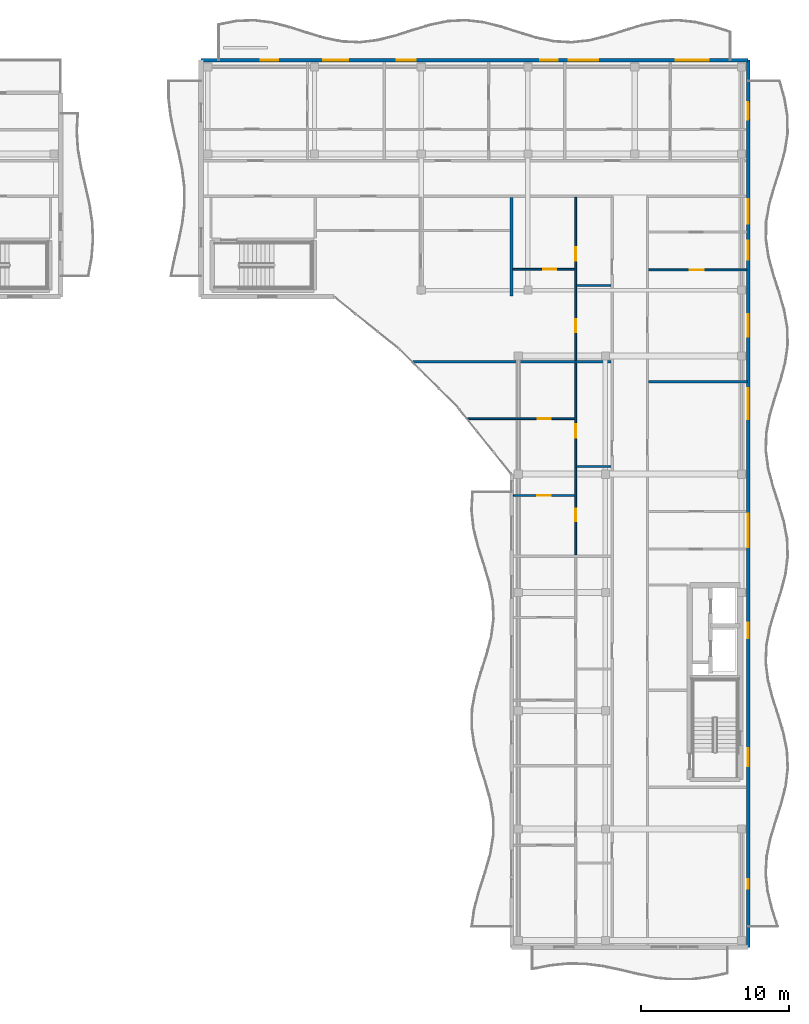
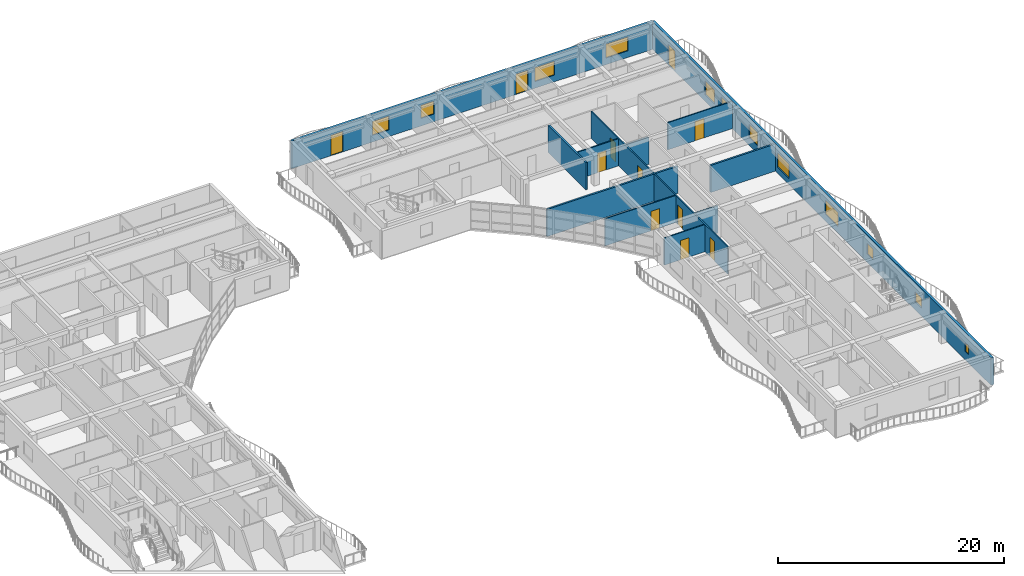
# One storey, part 37 of 54: 13 walls, 12 windows, 11 doors, 23 openings.
"""IFC4 building model written with IfcOpenShell, lengths in metres."""

import ifcopenshell
import ifcopenshell.guid

model = None  # the IFC model being written
_history = None  # IfcOwnerHistory: only IFC2X3 demands one
_inside = {}  # id of a spatial element -> (the spatial element, [elements in it])
_under = {}  # id of a project, library or spatial element -> (it, [spatial elements below it])
_declared = {}  # id of a project -> (the project, [libraries it declares])
_typed = {}  # id of a type object -> (the type object, [elements of that type])
_made_of = {}  # id of a material, layer set ... -> (it, [elements and type objects made of it])


def new_model(schema):
    """Start an empty IFC model of exactly this schema.

    Asked for "IFC4X3", IfcOpenShell would pick the latest addendum, in which some entities
    have other attributes; the version numbers below select the first issue.
    IFC2X3 requires an IfcOwnerHistory on every rooted entity: one is made here for all.
    """
    global model, _history
    if schema == "IFC4X3":
        model = ifcopenshell.file(schema_version=(4, 3, 0, 0))
    else:
        model = ifcopenshell.file(schema=schema)
    _inside.clear()
    _under.clear()
    _declared.clear()
    _typed.clear()
    _made_of.clear()
    _history = None
    if model.schema == "IFC2X3":
        org = make("IfcOrganization", Name="unknown")
        user = make(
            "IfcPersonAndOrganization",
            ThePerson=make("IfcPerson", FamilyName="unknown"),
            TheOrganization=org,
        )
        app = make(
            "IfcApplication",
            ApplicationDeveloper=org,
            Version="unknown",
            ApplicationFullName="unknown",
            ApplicationIdentifier="unknown",
        )
        _history = make(
            "IfcOwnerHistory",
            OwningUser=user,
            OwningApplication=app,
            ChangeAction="ADDED",
            CreationDate=0,
        )
    return model


def make(cls, **values):
    """One entity of the class cls with the attributes given. An attribute that is None is left unset."""
    return model.create_entity(
        cls, **{name: value for name, value in values.items() if value is not None}
    )


def rooted(cls, **values):
    """An entity with a GlobalId (a new one), such as an element, a storey or a relation."""
    return make(cls, GlobalId=ifcopenshell.guid.new(), OwnerHistory=_history, **values)


def si_unit(unit_type, name, prefix=None):
    """IfcSIUnit, for example si_unit("LENGTHUNIT", "METRE", prefix="MILLI")."""
    return make("IfcSIUnit", UnitType=unit_type, Prefix=prefix, Name=name)


def assignment(units):
    """IfcUnitAssignment: the units of a project."""
    return None if units is None else make("IfcUnitAssignment", Units=units)


def point(xyz):
    """IfcCartesianPoint."""
    return None if xyz is None else make("IfcCartesianPoint", Coordinates=xyz)


def direction(xyz):
    """IfcDirection."""
    return None if xyz is None else make("IfcDirection", DirectionRatios=xyz)


def frame(location, z_axis=None, x_axis=None):
    """IfcAxis2Placement3D, a coordinate frame: its origin and axes. An axis left out is left unset."""
    return make(
        "IfcAxis2Placement3D",
        Location=point(location),
        Axis=direction(z_axis),
        RefDirection=direction(x_axis),
    )


def frame_2d(location, x_axis=None):
    """IfcAxis2Placement2D, a coordinate frame in the plane: its origin and x axis."""
    return make(
        "IfcAxis2Placement2D", Location=point(location), RefDirection=direction(x_axis)
    )


def origin():
    """The frame at (0, 0, 0) with its axes left unset."""
    return frame((0.0, 0.0, 0.0))


def place(relative_to, where):
    """IfcLocalPlacement: puts the frame where relative to a parent placement (None: the world)."""
    return make(
        "IfcLocalPlacement", PlacementRelTo=relative_to, RelativePlacement=where
    )


def context(
    kind, dimensions, precision=None, world=None, true_north=None, identifier=None
):
    """IfcGeometricRepresentationContext, for example the 3D "Model" context."""
    return make(
        "IfcGeometricRepresentationContext",
        ContextIdentifier=identifier,
        ContextType=kind,
        CoordinateSpaceDimension=dimensions,
        Precision=precision,
        WorldCoordinateSystem=world,
        TrueNorth=true_north,
    )


def subcontext(parent, identifier, kind, view, scale=None):
    """IfcGeometricRepresentationSubContext, for example "Body" below "Model"."""
    return make(
        "IfcGeometricRepresentationSubContext",
        ContextIdentifier=identifier,
        ContextType=kind,
        ParentContext=parent,
        TargetScale=scale,
        TargetView=view,
    )


def project(units=None, contexts=None):
    """IfcProject with its units and contexts."""
    return rooted(
        "IfcProject",
        Name="project",
        RepresentationContexts=contexts,
        UnitsInContext=assignment(units),
    )


def spatial(cls, under=None, at=None, **own):
    """A site, building, storey or space (cls), placed at a placement, below another one or the project."""
    s = rooted(cls, ObjectPlacement=at, **own)
    if under is not None:
        _under.setdefault(under.id(), (under, []))[1].append(s)
    return s


def profile(cls, at=None, kind="AREA", **sizes):
    """A parametric profile (cls). Its sizes go by their IFC names, for example OverallWidth=200.0."""
    return make(cls, ProfileType=kind, Position=at, **sizes)


def rectangle(**sizes):
    """IfcRectangleProfileDef."""
    return profile("IfcRectangleProfileDef", **sizes)


def extrude(swept, where, along, depth):
    """IfcExtrudedAreaSolid: the profile swept, set in the frame where, extruded along a direction by depth."""
    return make(
        "IfcExtrudedAreaSolid",
        SweptArea=swept,
        Position=where,
        ExtrudedDirection=direction(along),
        Depth=depth,
    )


def shape(context_of_items, identifier, shape_type, items):
    """IfcShapeRepresentation: the items that make up one representation, for example the "Body"."""
    return make(
        "IfcShapeRepresentation",
        ContextOfItems=context_of_items,
        RepresentationIdentifier=identifier,
        RepresentationType=shape_type,
        Items=items,
    )


def material(Name=None, Category=None):
    """IfcMaterial."""
    return make("IfcMaterial", Name=Name, Category=Category)


def layer(
    of_material, thickness, ventilated=None, Name=None, Category=None, Priority=None
):
    """IfcMaterialLayer: one layer of a wall or slab, of a material (None: an air gap)."""
    return make(
        "IfcMaterialLayer",
        Material=of_material,
        LayerThickness=thickness,
        IsVentilated=ventilated,
        Name=Name,
        Category=Category,
        Priority=Priority,
    )


def layer_set(layers, Name=None):
    """IfcMaterialLayerSet."""
    return make("IfcMaterialLayerSet", MaterialLayers=layers, LayerSetName=Name)


def made_of(thing, what):
    """Note that an element or type object is made of a material, layer set ...; save() writes the relation."""
    if what is not None:
        _made_of.setdefault(what.id(), (what, []))[1].append(thing)
    return thing


def type_object(cls, material=None, **own):
    """A type object (cls), such as IfcWallType, which elements share."""
    return made_of(rooted(cls, **own), material)


def element(
    cls,
    number,
    at=None,
    inside=None,
    cuts=None,
    type_object=None,
    material=None,
    context=None,
    identifier="Body",
    shape_type=None,
    held_by="IfcProductDefinitionShape",
    body=None,
    shapes=None,
    **own,
):
    """One element of the class cls, such as IfcWall. Its Tag is "e" and its number.

    at: its placement. inside: the storey or other place that contains it. cuts: it is an
    opening in that element (IfcRelVoidsElement). A single representation is given by context,
    identifier, shape_type and body (its items); several are given by shapes. held_by: the class
    of the entity that holds the representations. save() writes the other relations.
    """
    e = rooted(cls, Tag="e%d" % number, ObjectPlacement=at, **own)
    if body is not None:
        shapes = [shape(context, identifier, shape_type, body)]
    if shapes is not None:
        e.Representation = make(held_by, Representations=shapes)
    if inside is not None:
        _inside.setdefault(inside.id(), (inside, []))[1].append(e)
    if cuts is not None:
        rooted(
            "IfcRelVoidsElement", RelatingBuildingElement=cuts, RelatedOpeningElement=e
        )
    if type_object is not None:
        _typed.setdefault(type_object.id(), (type_object, []))[1].append(e)
    return made_of(e, material)


def fill(opening, filler):
    """IfcRelFillsElement: the door or window that sits in an opening."""
    return rooted(
        "IfcRelFillsElement",
        RelatingOpeningElement=opening,
        RelatedBuildingElement=filler,
    )


def aggregate(whole, parts):
    """IfcRelAggregates: a whole, such as a stair, and the parts it consists of."""
    return rooted("IfcRelAggregates", RelatingObject=whole, RelatedObjects=parts)


def save(model, path):
    """Write the relations noted so far, then the file.

    IfcRelAggregates (storeys below a building ...), IfcRelContainedInSpatialStructure (elements
    in a storey), IfcRelDefinesByType, IfcRelAssociatesMaterial and IfcRelDeclares: one each for
    every whole, place, type object, material and project.
    """
    for whole, parts in _under.values():
        aggregate(whole, parts)
    for where, things in _inside.values():
        rooted(
            "IfcRelContainedInSpatialStructure",
            RelatedElements=things,
            RelatingStructure=where,
        )
    for kind, things in _typed.values():
        rooted("IfcRelDefinesByType", RelatedObjects=things, RelatingType=kind)
    for what, things in _made_of.values():
        rooted("IfcRelAssociatesMaterial", RelatedObjects=things, RelatingMaterial=what)
    for by, libraries in _declared.values():
        rooted("IfcRelDeclares", RelatingContext=by, RelatedDefinitions=libraries)
    model.write(path)


model = new_model("IFC4")

# Units and contexts
model_context = context("Model", 3, precision=1e-05, world=origin(), true_north=direction((0.0, 1.0)))
body_context = subcontext(model_context, "Body", "Model", "MODEL_VIEW")
ifc_project = project(units=[si_unit("LENGTHUNIT", "METRE"), si_unit("AREAUNIT", "SQUARE_METRE"), si_unit("VOLUMEUNIT", "CUBIC_METRE"), si_unit("PLANEANGLEUNIT", "RADIAN"), si_unit("MASSUNIT", "GRAM", prefix="KILO")], contexts=[model_context])

# Site, building, storey
site_placement = place(None, origin())
site = spatial("IfcSite", under=ifc_project, at=site_placement, CompositionType="ELEMENT")
building_placement = place(site_placement, origin())
building = spatial("IfcBuilding", under=site, at=building_placement, Name="Keldmere Railside Commons", CompositionType="ELEMENT")
storey_placement = place(building_placement, frame((0.0, 0.0, 26.56005859375)))
storey = spatial("IfcBuildingStorey", under=building, at=storey_placement, Name="L08", CompositionType="ELEMENT", Elevation=26.56005859375)

# Walls
ifc_material_1 = material(Name="Acoustic Gypsum Board Partition", Category="gypsum")
ifc_layer_1 = layer(ifc_material_1, 0.179931640625, Name="Acoustic Demising Partition 180")
ifc_layer_set_1 = layer_set([ifc_layer_1], Name="Acoustic Gypsum Board Partition")
wall_type_1 = type_object("IfcWallType", Name="Acoustic Demising Partition 180", PredefinedType="PARTITIONING", material=ifc_layer_set_1)
wall_1_placement = place(storey_placement, frame((168.0, 100.050048828125, 0.0), z_axis=(0.0, 0.0, 1.0), x_axis=(0.0, 1.0, 0.0)))
element("IfcWall", 1, at=wall_1_placement, inside=storey, type_object=wall_type_1, Name="IW-1 IW-L08-1727", PredefinedType="PARTITIONING", context=body_context, shape_type="SweptSolid", body=[
    extrude(rectangle(XDim=6.669921875, YDim=0.179931640625, at=frame_2d((3.3349609375, 0.0))), origin(), (0.0, 0.0, 1.0), 2.93505859375),
])
wall_2_placement = place(storey_placement, frame((161.33251953125, 95.60009765625, 0.0), z_axis=(0.0, 0.0, 1.0), x_axis=(1.0, 0.0, 0.0)))
element("IfcWall", 2, at=wall_2_placement, inside=storey, type_object=wall_type_1, Name="IW-1 IW-L08-1732", PredefinedType="PARTITIONING", context=body_context, shape_type="SweptSolid", body=[
    extrude(rectangle(XDim=13.387451171875, YDim=0.179931640625, at=frame_2d((6.69384765625, 0.0))), origin(), (0.0, 0.0, 1.0), 2.93505859375),
])
wall_3_placement = place(storey_placement, frame((177.280029296875, 94.25, 0.0), z_axis=(0.0, 0.0, 1.0), x_axis=(1.0, 0.0, 0.0)))
element("IfcWall", 3, at=wall_3_placement, inside=storey, type_object=wall_type_1, Name="IW-1 IW-L08-1761", PredefinedType="PARTITIONING", context=body_context, shape_type="SweptSolid", body=[
    extrude(rectangle(XDim=6.679931640625, YDim=0.179931640625, at=frame_2d((3.33984375, 0.0))), origin(), (0.0, 0.0, 1.0), 2.93505859375),
])

# Wall, openings, doors
ifc_layer_2 = layer(ifc_material_1, 0.1201171875, Name="Apartment Interior Partition 120")
ifc_layer_set_2 = layer_set([ifc_layer_2], Name="Acoustic Gypsum Board Partition")
wall_type_2 = type_object("IfcWallType", Name="Apartment Interior Partition 120", PredefinedType="PARTITIONING", material=ifc_layer_set_2)
wall_4_placement = place(storey_placement, frame((172.340087890625, 82.5400390625, 0.0), z_axis=(0.0, 0.0, 1.0), x_axis=(0.0, 1.0, 0.0)))
wall_4 = element("IfcWall", 4, at=wall_4_placement, inside=storey, type_object=wall_type_2, Name="IW-4 IW-L08-1740", PredefinedType="PARTITIONING", context=body_context, shape_type="SweptSolid", body=[
    extrude(rectangle(XDim=12.969970703125, YDim=0.1201171875, at=frame_2d((6.48486328125, 0.0))), origin(), (0.0, 0.0, 1.0), 2.93505859375),
])
opening_1_placement = place(wall_4_placement, frame((2.2685546875, 0.0, 0.0)))
opening_1 = element("IfcOpeningElement", 5, at=opening_1_placement, cuts=wall_4, Name="Opening ID-04", PredefinedType="OPENING", context=body_context, shape_type="SweptSolid", body=[
    extrude(rectangle(XDim=0.860107421875, YDim=2.10009765625, at=frame_2d((0.43017578125, 1.050048828125))), frame((0.0, 0.070068359375, 0.0), z_axis=(0.0, -1.0, 0.0), x_axis=(1.0, 0.0, 0.0)), (0.0, 0.0, 1.0), 0.14013671875),
])
opening_2_placement = place(wall_4_placement, frame((7.929931640625, 0.0, 0.0)))
opening_2 = element("IfcOpeningElement", 6, at=opening_2_placement, cuts=wall_4, Name="Opening ID-03", PredefinedType="OPENING", context=body_context, shape_type="SweptSolid", body=[
    extrude(rectangle(XDim=0.919921875, YDim=2.10009765625, at=frame_2d((0.4599609375, 1.050048828125))), frame((0.0, 0.070068359375, 0.0), z_axis=(0.0, -1.0, 0.0), x_axis=(1.0, 0.0, 0.0)), (0.0, 0.0, 1.0), 0.14013671875),
])
ifc_material_2 = material(Name="Engineered Oak Timber", Category="wood")
door_type_1 = type_object("IfcDoorType", Name="Apartment Bathroom Door 860x2100", OperationType="NOTDEFINED", PredefinedType="DOOR", material=ifc_material_2)
door_1_placement = place(opening_1_placement, origin())
door_1 = element("IfcDoor", 7, at=door_1_placement, inside=storey, type_object=door_type_1, Name="ID-04 IDR-L08-1581", OperationType="SINGLE_SWING_LEFT", OverallHeight=2.10009765625, OverallWidth=0.860107421875, PredefinedType="DOOR", context=body_context, shape_type="SweptSolid", body=[
    extrude(rectangle(XDim=0.860107421875, YDim=2.10009765625, at=frame_2d((0.43017578125, 1.050048828125))), frame((0.0, 0.02490234375, 0.0), z_axis=(0.0, -1.0, 0.0), x_axis=(1.0, 0.0, 0.0)), (0.0, 0.0, 1.0), 0.050048828125),
])
fill(opening_1, door_1)
door_type_2 = type_object("IfcDoorType", Name="Kitchen Pocket-Frame Swing Door 920x2100", OperationType="NOTDEFINED", PredefinedType="DOOR", material=ifc_material_2)
door_2_placement = place(opening_2_placement, origin())
door_2 = element("IfcDoor", 8, at=door_2_placement, inside=storey, type_object=door_type_2, Name="ID-03 IDR-L08-1582", OperationType="SINGLE_SWING_RIGHT", OverallHeight=2.10009765625, OverallWidth=0.919921875, PredefinedType="DOOR", context=body_context, shape_type="SweptSolid", body=[
    extrude(rectangle(XDim=0.919921875, YDim=2.10009765625, at=frame_2d((0.4599609375, 1.050048828125))), frame((0.0, 0.02490234375, 0.0), z_axis=(0.0, -1.0, 0.0), x_axis=(1.0, 0.0, 0.0)), (0.0, 0.0, 1.0), 0.050048828125),
])
fill(opening_2, door_2)

# Wall, opening, door
wall_5_placement = place(storey_placement, frame((168.1201171875, 86.56005859375, 0.0), z_axis=(0.0, 0.0, 1.0), x_axis=(1.0, 0.0, 0.0)))
wall_5 = element("IfcWall", 9, at=wall_5_placement, inside=storey, type_object=wall_type_2, Name="IW-4 IW-L08-1742", PredefinedType="PARTITIONING", context=body_context, shape_type="SweptSolid", body=[
    extrude(rectangle(XDim=4.159912109375, YDim=0.1201171875, at=frame_2d((2.080078125, 0.0))), origin(), (0.0, 0.0, 1.0), 2.93505859375),
])
opening_3_placement = place(wall_5_placement, frame((1.6298828125, 0.0, 0.0)))
opening_3 = element("IfcOpeningElement", 10, at=opening_3_placement, cuts=wall_5, Name="Opening ID-01", PredefinedType="OPENING", context=body_context, shape_type="SweptSolid", body=[
    extrude(rectangle(XDim=0.89990234375, YDim=2.10009765625, at=frame_2d((0.449951171875, 1.050048828125))), frame((0.0, 0.070068359375, 0.0), z_axis=(0.0, -1.0, 0.0), x_axis=(1.0, 0.0, 0.0)), (0.0, 0.0, 1.0), 0.14013671875),
])
door_type_3 = type_object("IfcDoorType", Name="Primary Bedroom Door 900x2100", OperationType="NOTDEFINED", PredefinedType="DOOR", material=ifc_material_2)
door_3_placement = place(opening_3_placement, origin())
door_3 = element("IfcDoor", 11, at=door_3_placement, inside=storey, type_object=door_type_3, Name="ID-01 IDR-L08-1584", OperationType="SINGLE_SWING_RIGHT", OverallHeight=2.10009765625, OverallWidth=0.89990234375, PredefinedType="DOOR", context=body_context, shape_type="SweptSolid", body=[
    extrude(rectangle(XDim=0.89990234375, YDim=2.10009765625, at=frame_2d((0.449951171875, 1.050048828125))), frame((0.0, 0.02490234375, 0.0), z_axis=(0.0, -1.0, 0.0), x_axis=(1.0, 0.0, 0.0)), (0.0, 0.0, 1.0), 0.050048828125),
])
fill(opening_3, door_3)

wall_6_placement = place(storey_placement, frame((165.042724609375, 91.75, 0.0), z_axis=(0.0, 0.0, 1.0), x_axis=(1.0, 0.0, 0.0)))
wall_6 = element("IfcWall", 12, at=wall_6_placement, inside=storey, type_object=wall_type_2, Name="IW-4 IW-L08-1743", PredefinedType="PARTITIONING", context=body_context, shape_type="SweptSolid", body=[
    extrude(rectangle(XDim=7.2373046875, YDim=0.1201171875, at=frame_2d((3.61865234375, 0.0))), origin(), (0.0, 0.0, 1.0), 2.93505859375),
])
opening_4_placement = place(wall_6_placement, frame((4.717041015625, 0.0, 0.0)))
opening_4 = element("IfcOpeningElement", 13, at=opening_4_placement, cuts=wall_6, Name="Opening ID-02", PredefinedType="OPENING", context=body_context, shape_type="SweptSolid", body=[
    extrude(rectangle(XDim=0.8798828125, YDim=2.10009765625, at=frame_2d((0.43994140625, 1.050048828125))), frame((0.0, 0.070068359375, 0.0), z_axis=(0.0, -1.0, 0.0), x_axis=(1.0, 0.0, 0.0)), (0.0, 0.0, 1.0), 0.14013671875),
])
door_type_4 = type_object("IfcDoorType", Name="Secondary Bedroom Door 880x2100", OperationType="NOTDEFINED", PredefinedType="DOOR", material=ifc_material_2)
door_4_placement = place(opening_4_placement, origin())
door_4 = element("IfcDoor", 14, at=door_4_placement, inside=storey, type_object=door_type_4, Name="ID-02 IDR-L08-1585", OperationType="SINGLE_SWING_LEFT", OverallHeight=2.10009765625, OverallWidth=0.8798828125, PredefinedType="DOOR", context=body_context, shape_type="SweptSolid", body=[
    extrude(rectangle(XDim=0.8798828125, YDim=2.10009765625, at=frame_2d((0.43994140625, 1.050048828125))), frame((0.0, 0.02490234375, 0.0), z_axis=(0.0, -1.0, 0.0), x_axis=(1.0, 0.0, 0.0)), (0.0, 0.0, 1.0), 0.050048828125),
])
fill(opening_4, door_4)

# Wall, openings, doors
wall_7_placement = place(storey_placement, frame((172.340087890625, 95.68994140625, 0.0), z_axis=(0.0, 0.0, 1.0), x_axis=(0.0, 1.0, 0.0)))
wall_7 = element("IfcWall", 15, at=wall_7_placement, inside=storey, type_object=wall_type_2, Name="IW-4 IW-L08-1744", PredefinedType="PARTITIONING", context=body_context, shape_type="SweptSolid", body=[
    extrude(rectangle(XDim=11.030029296875, YDim=0.1201171875, at=frame_2d((5.51513671875, 0.0))), origin(), (0.0, 0.0, 1.0), 2.93505859375),
])
opening_5_placement = place(wall_7_placement, frame((1.926513671875, 0.0, 0.0)))
opening_5 = element("IfcOpeningElement", 16, at=opening_5_placement, cuts=wall_7, Name="Opening ID-04", PredefinedType="OPENING", context=body_context, shape_type="SweptSolid", body=[
    extrude(rectangle(XDim=0.860107421875, YDim=2.10009765625, at=frame_2d((0.43017578125, 1.050048828125))), frame((0.0, 0.070068359375, 0.0), z_axis=(0.0, -1.0, 0.0), x_axis=(1.0, 0.0, 0.0)), (0.0, 0.0, 1.0), 0.14013671875),
])
opening_6_placement = place(wall_7_placement, frame((6.73876953125, 0.0, 0.0)))
opening_6 = element("IfcOpeningElement", 17, at=opening_6_placement, cuts=wall_7, Name="Opening ID-03", PredefinedType="OPENING", context=body_context, shape_type="SweptSolid", body=[
    extrude(rectangle(XDim=0.919921875, YDim=2.10009765625, at=frame_2d((0.4599609375, 1.050048828125))), frame((0.0, 0.070068359375, 0.0), z_axis=(0.0, -1.0, 0.0), x_axis=(1.0, 0.0, 0.0)), (0.0, 0.0, 1.0), 0.14013671875),
])
door_5_placement = place(opening_5_placement, origin())
door_5 = element("IfcDoor", 18, at=door_5_placement, inside=storey, type_object=door_type_1, Name="ID-04 IDR-L08-1586", OperationType="SINGLE_SWING_RIGHT", OverallHeight=2.10009765625, OverallWidth=0.860107421875, PredefinedType="DOOR", context=body_context, shape_type="SweptSolid", body=[
    extrude(rectangle(XDim=0.860107421875, YDim=2.10009765625, at=frame_2d((0.43017578125, 1.050048828125))), frame((0.0, 0.02490234375, 0.0), z_axis=(0.0, -1.0, 0.0), x_axis=(1.0, 0.0, 0.0)), (0.0, 0.0, 1.0), 0.050048828125),
])
fill(opening_5, door_5)
door_6_placement = place(opening_6_placement, origin())
door_6 = element("IfcDoor", 19, at=door_6_placement, inside=storey, type_object=door_type_2, Name="ID-03 IDR-L08-1587", OperationType="SINGLE_SWING_LEFT", OverallHeight=2.10009765625, OverallWidth=0.919921875, PredefinedType="DOOR", context=body_context, shape_type="SweptSolid", body=[
    extrude(rectangle(XDim=0.919921875, YDim=2.10009765625, at=frame_2d((0.4599609375, 1.050048828125))), frame((0.0, 0.02490234375, 0.0), z_axis=(0.0, -1.0, 0.0), x_axis=(1.0, 0.0, 0.0)), (0.0, 0.0, 1.0), 0.050048828125),
])
fill(opening_6, door_6)

# Wall, opening, door
wall_8_placement = place(storey_placement, frame((168.090087890625, 101.8701171875, 0.0), z_axis=(0.0, 0.0, 1.0), x_axis=(1.0, 0.0, 0.0)))
wall_8 = element("IfcWall", 20, at=wall_8_placement, inside=storey, type_object=wall_type_2, Name="IW-4 IW-L08-1746", PredefinedType="PARTITIONING", context=body_context, shape_type="SweptSolid", body=[
    extrude(rectangle(XDim=4.18994140625, YDim=0.1201171875, at=frame_2d((2.094970703125, 0.0))), origin(), (0.0, 0.0, 1.0), 2.93505859375),
])
opening_7_placement = place(wall_8_placement, frame((2.044921875, 0.0, 0.0)))
opening_7 = element("IfcOpeningElement", 21, at=opening_7_placement, cuts=wall_8, Name="Opening ID-01", PredefinedType="OPENING", context=body_context, shape_type="SweptSolid", body=[
    extrude(rectangle(XDim=0.89990234375, YDim=2.10009765625, at=frame_2d((0.449951171875, 1.050048828125))), frame((0.0, 0.070068359375, 0.0), z_axis=(0.0, -1.0, 0.0), x_axis=(1.0, 0.0, 0.0)), (0.0, 0.0, 1.0), 0.14013671875),
])
door_7_placement = place(opening_7_placement, origin())
door_7 = element("IfcDoor", 22, at=door_7_placement, inside=storey, type_object=door_type_3, Name="ID-01 IDR-L08-1589", OperationType="SINGLE_SWING_LEFT", OverallHeight=2.10009765625, OverallWidth=0.89990234375, PredefinedType="DOOR", context=body_context, shape_type="SweptSolid", body=[
    extrude(rectangle(XDim=0.89990234375, YDim=2.10009765625, at=frame_2d((0.449951171875, 1.050048828125))), frame((0.0, 0.02490234375, 0.0), z_axis=(0.0, -1.0, 0.0), x_axis=(1.0, 0.0, 0.0)), (0.0, 0.0, 1.0), 0.050048828125),
])
fill(opening_7, door_7)

wall_9_placement = place(storey_placement, frame((177.280029296875, 101.820068359375, 0.0), z_axis=(0.0, 0.0, 1.0), x_axis=(1.0, 0.0, 0.0)))
wall_9 = element("IfcWall", 23, at=wall_9_placement, inside=storey, type_object=wall_type_2, Name="IW-4 IW-L08-1764", PredefinedType="PARTITIONING", context=body_context, shape_type="SweptSolid", body=[
    extrude(rectangle(XDim=6.6298828125, YDim=0.1201171875, at=frame_2d((3.31494140625, 0.0))), origin(), (0.0, 0.0, 1.0), 2.93505859375),
])
opening_8_placement = place(wall_9_placement, frame((2.78466796875, 0.0, 0.0)))
opening_8 = element("IfcOpeningElement", 24, at=opening_8_placement, cuts=wall_9, Name="Opening ID-03", PredefinedType="OPENING", context=body_context, shape_type="SweptSolid", body=[
    extrude(rectangle(XDim=0.919921875, YDim=2.10009765625, at=frame_2d((0.4599609375, 1.050048828125))), frame((0.0, 0.070068359375, 0.0), z_axis=(0.0, -1.0, 0.0), x_axis=(1.0, 0.0, 0.0)), (0.0, 0.0, 1.0), 0.14013671875),
])
door_8_placement = place(opening_8_placement, origin())
door_8 = element("IfcDoor", 25, at=door_8_placement, inside=storey, type_object=door_type_2, Name="ID-03 IDR-L08-1614", OperationType="SINGLE_SWING_RIGHT", OverallHeight=2.10009765625, OverallWidth=0.919921875, PredefinedType="DOOR", context=body_context, shape_type="SweptSolid", body=[
    extrude(rectangle(XDim=0.919921875, YDim=2.10009765625, at=frame_2d((0.4599609375, 1.050048828125))), frame((0.0, 0.02490234375, 0.0), z_axis=(0.0, -1.0, 0.0), x_axis=(1.0, 0.0, 0.0)), (0.0, 0.0, 1.0), 0.050048828125),
])
fill(opening_8, door_8)

# Wall, openings, windows, door
ifc_material_3 = material(Name="Architectural Precast Concrete H-35 (C35/45)", Category="concrete")
ifc_layer_3 = layer(ifc_material_3, 0.239990234375, Name="Sand-Ochre Precast Cavity Wall 240")
ifc_layer_set_3 = layer_set([ifc_layer_3], Name="Architectural Precast Concrete H-35 (C35/45)")
wall_type_3 = type_object("IfcWallType", Name="Sand-Ochre Precast Cavity Wall 240", PredefinedType="SOLIDWALL", material=ifc_layer_set_3)
wall_10_placement = place(storey_placement, frame((184.0, 116.0, 0.0), z_axis=(0.0, 0.0, 1.0), x_axis=(0.0, -1.0, 0.0)))
wall_10 = element("IfcWall", 26, at=wall_10_placement, inside=storey, type_object=wall_type_3, Name="EW-2 EXTA-L08-0932", PredefinedType="SOLIDWALL", context=body_context, shape_type="SweptSolid", body=[
    extrude(rectangle(XDim=60.0, YDim=0.239990234375, at=frame_2d((30.0, 0.0))), origin(), (0.0, 0.0, 1.0), 2.97998046875),
])
opening_9_placement = place(wall_10_placement, frame((2.835693359375, 0.0, 0.0)))
opening_9 = element("IfcOpeningElement", 27, at=opening_9_placement, cuts=wall_10, Name="Opening BD-01", PredefinedType="OPENING", context=body_context, shape_type="SweptSolid", body=[
    extrude(rectangle(XDim=1.199951171875, YDim=2.199951171875, at=frame_2d((0.60009765625, 1.10009765625))), frame((0.0, 0.1298828125, 0.0), z_axis=(0.0, -1.0, 0.0), x_axis=(1.0, 0.0, 0.0)), (0.0, 0.0, 1.0), 0.260009765625),
])
opening_10_placement = place(wall_10_placement, frame((9.3857421875, 0.0, 0.719970703125)))
opening_10 = element("IfcOpeningElement", 28, at=opening_10_placement, cuts=wall_10, Name="Opening WN-40", PredefinedType="OPENING", context=body_context, shape_type="SweptSolid", body=[
    extrude(rectangle(XDim=1.679931640625, YDim=1.5, at=frame_2d((0.83984375, 0.75))), frame((0.0, 0.1298828125, 0.0), z_axis=(0.0, -1.0, 0.0), x_axis=(1.0, 0.0, 0.0)), (0.0, 0.0, 1.0), 0.260009765625),
])
opening_11_placement = place(wall_10_placement, frame((12.20703125, 0.0, 0.820068359375)))
opening_11 = element("IfcOpeningElement", 29, at=opening_11_placement, cuts=wall_10, Name="Opening WN-10", PredefinedType="OPENING", context=body_context, shape_type="SweptSolid", body=[
    extrude(rectangle(XDim=1.300048828125, YDim=1.39990234375, at=frame_2d((0.64990234375, 0.699951171875))), frame((0.0, 0.1298828125, 0.0), z_axis=(0.0, -1.0, 0.0), x_axis=(1.0, 0.0, 0.0)), (0.0, 0.0, 1.0), 0.260009765625),
])
opening_12_placement = place(wall_10_placement, frame((22.1787109375, 0.0, 0.669921875)))
opening_12 = element("IfcOpeningElement", 30, at=opening_12_placement, cuts=wall_10, Name="Opening WN-11", PredefinedType="OPENING", context=body_context, shape_type="SweptSolid", body=[
    extrude(rectangle(XDim=2.10009765625, YDim=1.550048828125, at=frame_2d((1.050048828125, 0.77490234375))), frame((0.0, 0.1298828125, 0.0), z_axis=(0.0, -1.0, 0.0), x_axis=(1.0, 0.0, 0.0)), (0.0, 0.0, 1.0), 0.260009765625),
])
opening_13_placement = place(wall_10_placement, frame((30.675048828125, 0.0, 0.719970703125)))
opening_13 = element("IfcOpeningElement", 31, at=opening_13_placement, cuts=wall_10, Name="Opening WN-12", PredefinedType="OPENING", context=body_context, shape_type="SweptSolid", body=[
    extrude(rectangle(XDim=2.25, YDim=1.5, at=frame_2d((1.125, 0.75))), frame((0.0, 0.1298828125, 0.0), z_axis=(0.0, -1.0, 0.0), x_axis=(1.0, 0.0, 0.0)), (0.0, 0.0, 1.0), 0.260009765625),
])
opening_14_placement = place(wall_10_placement, frame((38.04638671875, 0.0, 0.89990234375)))
opening_14 = element("IfcOpeningElement", 32, at=opening_14_placement, cuts=wall_10, Name="Opening WN-13", PredefinedType="OPENING", context=body_context, shape_type="SweptSolid", body=[
    extrude(rectangle(XDim=1.050048828125, YDim=1.14990234375, at=frame_2d((0.52490234375, 0.574951171875))), frame((0.0, 0.1298828125, 0.0), z_axis=(0.0, -1.0, 0.0), x_axis=(1.0, 0.0, 0.0)), (0.0, 0.0, 1.0), 0.260009765625),
])
opening_15_placement = place(wall_10_placement, frame((46.54296875, 0.0, 0.89990234375)))
opening_15 = element("IfcOpeningElement", 33, at=opening_15_placement, cuts=wall_10, Name="Opening WN-14", PredefinedType="OPENING", context=body_context, shape_type="SweptSolid", body=[
    extrude(rectangle(XDim=1.199951171875, YDim=1.050048828125, at=frame_2d((0.60009765625, 0.52490234375))), frame((0.0, 0.1298828125, 0.0), z_axis=(0.0, -1.0, 0.0), x_axis=(1.0, 0.0, 0.0)), (0.0, 0.0, 1.0), 0.260009765625),
])
opening_16_placement = place(wall_10_placement, frame((55.389404296875, 0.0, 0.89990234375)))
opening_16 = element("IfcOpeningElement", 34, at=opening_16_placement, cuts=wall_10, Name="Opening WN-15", PredefinedType="OPENING", context=body_context, shape_type="SweptSolid", body=[
    extrude(rectangle(XDim=0.64990234375, YDim=0.949951171875, at=frame_2d((0.324951171875, 0.47509765625))), frame((0.0, 0.1298828125, 0.0), z_axis=(0.0, -1.0, 0.0), x_axis=(1.0, 0.0, 0.0)), (0.0, 0.0, 1.0), 0.260009765625),
])
opening_17_placement = place(wall_10_placement, frame((17.195068359375, 0.0, 0.820068359375)))
opening_17 = element("IfcOpeningElement", 35, at=opening_17_placement, cuts=wall_10, Name="Opening WN-06", PredefinedType="OPENING", context=body_context, shape_type="SweptSolid", body=[
    extrude(rectangle(XDim=1.5, YDim=1.39990234375, at=frame_2d((0.75, 0.699951171875))), frame((0.0, 0.1298828125, 0.0), z_axis=(0.0, -1.0, 0.0), x_axis=(1.0, 0.0, 0.0)), (0.0, 0.0, 1.0), 0.260009765625),
])
ifc_material_4 = material(Name="Low-E Insulated Double Glazing", Category="glass")
window_type_1 = type_object("IfcWindowType", Name="Apartment Kitchen Casement Window 1050x1150", PartitioningType="SINGLE_PANEL", PredefinedType="WINDOW", material=ifc_material_4)
window_1_placement = place(opening_14_placement, origin())
window_1 = element("IfcWindow", 36, at=window_1_placement, inside=storey, type_object=window_type_1, Name="WN-13 WIN-L08-0726", OverallHeight=1.14990234375, OverallWidth=1.050048828125, PartitioningType="SINGLE_PANEL", PredefinedType="WINDOW", context=body_context, shape_type="SweptSolid", body=[
    extrude(rectangle(XDim=1.050048828125, YDim=1.14990234375, at=frame_2d((0.52490234375, 0.574951171875))), frame((0.0, 0.030029296875, 0.0), z_axis=(0.0, -1.0, 0.0), x_axis=(1.0, 0.0, 0.0)), (0.0, 0.0, 1.0), 0.06005859375),
])
fill(opening_14, window_1)
window_type_2 = type_object("IfcWindowType", Name="Apartment Kitchen Ribbon Window 1200x1050", PartitioningType="SINGLE_PANEL", PredefinedType="WINDOW", material=ifc_material_4)
window_2_placement = place(opening_15_placement, origin())
window_2 = element("IfcWindow", 37, at=window_2_placement, inside=storey, type_object=window_type_2, Name="WN-14 WIN-L08-0727", OverallHeight=1.050048828125, OverallWidth=1.199951171875, PartitioningType="SINGLE_PANEL", PredefinedType="WINDOW", context=body_context, shape_type="SweptSolid", body=[
    extrude(rectangle(XDim=1.199951171875, YDim=1.050048828125, at=frame_2d((0.60009765625, 0.52490234375))), frame((0.0, 0.030029296875, 0.0), z_axis=(0.0, -1.0, 0.0), x_axis=(1.0, 0.0, 0.0)), (0.0, 0.0, 1.0), 0.06005859375),
])
fill(opening_15, window_2)
ifc_material_5 = material(Name="Thermally Broken Aluminium", Category="aluminium")
door_type_5 = type_object("IfcDoorType", Name="Apartment Living Wave-Balcony Glazed Door 1200x2200", OperationType="NOTDEFINED", PredefinedType="DOOR", material=ifc_material_5)
door_9_placement = place(opening_9_placement, origin())
door_9 = element("IfcDoor", 38, at=door_9_placement, inside=storey, type_object=door_type_5, Name="BD-01 DR-L08-0263", OperationType="SINGLE_SWING_LEFT", OverallHeight=2.199951171875, OverallWidth=1.199951171875, PredefinedType="DOOR", context=body_context, shape_type="SweptSolid", body=[
    extrude(rectangle(XDim=1.199951171875, YDim=2.199951171875, at=frame_2d((0.60009765625, 1.10009765625))), frame((0.0, 0.02490234375, 0.0), z_axis=(0.0, -1.0, 0.0), x_axis=(1.0, 0.0, 0.0)), (0.0, 0.0, 1.0), 0.050048828125),
])
fill(opening_9, door_9)
window_type_3 = type_object("IfcWindowType", Name="Exterior Bathroom Frosted Window 650x950", PartitioningType="SINGLE_PANEL", PredefinedType="WINDOW", material=ifc_material_4)
window_3_placement = place(opening_16_placement, origin())
window_3 = element("IfcWindow", 39, at=window_3_placement, inside=storey, type_object=window_type_3, Name="WN-15 WIN-L08-0728", OverallHeight=0.949951171875, OverallWidth=0.64990234375, PartitioningType="SINGLE_PANEL", PredefinedType="WINDOW", context=body_context, shape_type="SweptSolid", body=[
    extrude(rectangle(XDim=0.64990234375, YDim=0.949951171875, at=frame_2d((0.324951171875, 0.47509765625))), frame((0.0, 0.030029296875, 0.0), z_axis=(0.0, -1.0, 0.0), x_axis=(1.0, 0.0, 0.0)), (0.0, 0.0, 1.0), 0.06005859375),
])
fill(opening_16, window_3)
window_type_4 = type_object("IfcWindowType", Name="Primary Bedroom North Window 1500x1400", PartitioningType="SINGLE_PANEL", PredefinedType="WINDOW", material=ifc_material_4)
window_4_placement = place(opening_17_placement, origin())
window_4 = element("IfcWindow", 40, at=window_4_placement, inside=storey, type_object=window_type_4, Name="WN-06 WIN-L08-9072", OverallHeight=1.39990234375, OverallWidth=1.5, PartitioningType="SINGLE_PANEL", PredefinedType="WINDOW", context=body_context, shape_type="SweptSolid", body=[
    extrude(rectangle(XDim=1.5, YDim=1.39990234375, at=frame_2d((0.75, 0.699951171875))), frame((0.0, 0.030029296875, 0.0), z_axis=(0.0, -1.0, 0.0), x_axis=(1.0, 0.0, 0.0)), (0.0, 0.0, 1.0), 0.06005859375),
])
fill(opening_17, window_4)
window_type_5 = type_object("IfcWindowType", Name="Secondary Bedroom Court Window 1300x1400", PartitioningType="SINGLE_PANEL", PredefinedType="WINDOW", material=ifc_material_4)
window_5_placement = place(opening_11_placement, origin())
window_5 = element("IfcWindow", 41, at=window_5_placement, inside=storey, type_object=window_type_5, Name="WN-10 WIN-L08-0723", OverallHeight=1.39990234375, OverallWidth=1.300048828125, PartitioningType="SINGLE_PANEL", PredefinedType="WINDOW", context=body_context, shape_type="SweptSolid", body=[
    extrude(rectangle(XDim=1.300048828125, YDim=1.39990234375, at=frame_2d((0.64990234375, 0.699951171875))), frame((0.0, 0.030029296875, 0.0), z_axis=(0.0, -1.0, 0.0), x_axis=(1.0, 0.0, 0.0)), (0.0, 0.0, 1.0), 0.06005859375),
])
fill(opening_11, window_5)
window_type_6 = type_object("IfcWindowType", Name="Studio Court Ribbon Window 2250x1500", PartitioningType="SINGLE_PANEL", PredefinedType="WINDOW", material=ifc_material_4)
window_6_placement = place(opening_13_placement, origin())
window_6 = element("IfcWindow", 42, at=window_6_placement, inside=storey, type_object=window_type_6, Name="WN-12 WIN-L08-0725", OverallHeight=1.5, OverallWidth=2.25, PartitioningType="SINGLE_PANEL", PredefinedType="WINDOW", context=body_context, shape_type="SweptSolid", body=[
    extrude(rectangle(XDim=2.25, YDim=1.5, at=frame_2d((1.125, 0.75))), frame((0.0, 0.030029296875, 0.0), z_axis=(0.0, -1.0, 0.0), x_axis=(1.0, 0.0, 0.0)), (0.0, 0.0, 1.0), 0.06005859375),
])
fill(opening_13, window_6)
window_type_7 = type_object("IfcWindowType", Name="Studio Wide Casement Window 2100x1550", PartitioningType="SINGLE_PANEL", PredefinedType="WINDOW", material=ifc_material_4)
window_7_placement = place(opening_12_placement, origin())
window_7 = element("IfcWindow", 43, at=window_7_placement, inside=storey, type_object=window_type_7, Name="WN-11 WIN-L08-0724", OverallHeight=1.550048828125, OverallWidth=2.10009765625, PartitioningType="SINGLE_PANEL", PredefinedType="WINDOW", context=body_context, shape_type="SweptSolid", body=[
    extrude(rectangle(XDim=2.10009765625, YDim=1.550048828125, at=frame_2d((1.050048828125, 0.77490234375))), frame((0.0, 0.030029296875, 0.0), z_axis=(0.0, -1.0, 0.0), x_axis=(1.0, 0.0, 0.0)), (0.0, 0.0, 1.0), 0.06005859375),
])
fill(opening_12, window_7)
window_type_8 = type_object("IfcWindowType", Name="Two-Bed Dining Casement Window 1680x1500", PartitioningType="SINGLE_PANEL", PredefinedType="WINDOW", material=ifc_material_4)
window_8_placement = place(opening_10_placement, origin())
window_8 = element("IfcWindow", 44, at=window_8_placement, inside=storey, type_object=window_type_8, Name="WN-40 WIN-L08-0722", OverallHeight=1.5, OverallWidth=1.679931640625, PartitioningType="SINGLE_PANEL", PredefinedType="WINDOW", context=body_context, shape_type="SweptSolid", body=[
    extrude(rectangle(XDim=1.679931640625, YDim=1.5, at=frame_2d((0.83984375, 0.75))), frame((0.0, 0.030029296875, 0.0), z_axis=(0.0, -1.0, 0.0), x_axis=(1.0, 0.0, 0.0)), (0.0, 0.0, 1.0), 0.06005859375),
])
fill(opening_10, window_8)

# Wall, openings, doors, windows
wall_11_placement = place(storey_placement, frame((147.0, 116.0, 0.0), z_axis=(0.0, 0.0, 1.0), x_axis=(1.0, 0.0, 0.0)))
wall_11 = element("IfcWall", 45, at=wall_11_placement, inside=storey, type_object=wall_type_3, Name="EW-2 EXTA-L08-0933", PredefinedType="SOLIDWALL", context=body_context, shape_type="SweptSolid", body=[
    extrude(rectangle(XDim=37.0, YDim=0.239990234375, at=frame_2d((18.5, 0.0))), origin(), (0.0, 0.0, 1.0), 2.97998046875),
])
opening_18_placement = place(wall_11_placement, frame((4.02490234375, 0.0, 0.0)))
opening_18 = element("IfcOpeningElement", 46, at=opening_18_placement, cuts=wall_11, Name="Opening BD-01", PredefinedType="OPENING", context=body_context, shape_type="SweptSolid", body=[
    extrude(rectangle(XDim=1.199951171875, YDim=2.199951171875, at=frame_2d((0.60009765625, 1.10009765625))), frame((0.0, 0.1298828125, 0.0), z_axis=(0.0, -1.0, 0.0), x_axis=(1.0, 0.0, 0.0)), (0.0, 0.0, 1.0), 0.260009765625),
])
opening_19_placement = place(wall_11_placement, frame((8.27490234375, 0.0, 0.719970703125)))
opening_19 = element("IfcOpeningElement", 47, at=opening_19_placement, cuts=wall_11, Name="Opening WN-40", PredefinedType="OPENING", context=body_context, shape_type="SweptSolid", body=[
    extrude(rectangle(XDim=1.679931640625, YDim=1.5, at=frame_2d((0.83984375, 0.75))), frame((0.0, 0.1298828125, 0.0), z_axis=(0.0, -1.0, 0.0), x_axis=(1.0, 0.0, 0.0)), (0.0, 0.0, 1.0), 0.260009765625),
])
opening_20_placement = place(wall_11_placement, frame((13.22509765625, 0.0, 0.820068359375)))
opening_20 = element("IfcOpeningElement", 48, at=opening_20_placement, cuts=wall_11, Name="Opening WN-10", PredefinedType="OPENING", context=body_context, shape_type="SweptSolid", body=[
    extrude(rectangle(XDim=1.300048828125, YDim=1.39990234375, at=frame_2d((0.64990234375, 0.699951171875))), frame((0.0, 0.1298828125, 0.0), z_axis=(0.0, -1.0, 0.0), x_axis=(1.0, 0.0, 0.0)), (0.0, 0.0, 1.0), 0.260009765625),
])
opening_21_placement = place(wall_11_placement, frame((22.925048828125, 0.0, 0.0)))
opening_21 = element("IfcOpeningElement", 49, at=opening_21_placement, cuts=wall_11, Name="Opening BD-01", PredefinedType="OPENING", context=body_context, shape_type="SweptSolid", body=[
    extrude(rectangle(XDim=1.199951171875, YDim=2.199951171875, at=frame_2d((0.60009765625, 1.10009765625))), frame((0.0, 0.1298828125, 0.0), z_axis=(0.0, -1.0, 0.0), x_axis=(1.0, 0.0, 0.0)), (0.0, 0.0, 1.0), 0.260009765625),
])
opening_22_placement = place(wall_11_placement, frame((24.875, 0.0, 0.719970703125)))
opening_22 = element("IfcOpeningElement", 50, at=opening_22_placement, cuts=wall_11, Name="Opening WN-02", PredefinedType="OPENING", context=body_context, shape_type="SweptSolid", body=[
    extrude(rectangle(XDim=2.0, YDim=1.5, at=frame_2d((1.0, 0.75))), frame((0.0, 0.1298828125, 0.0), z_axis=(0.0, -1.0, 0.0), x_axis=(1.0, 0.0, 0.0)), (0.0, 0.0, 1.0), 0.260009765625),
])
opening_23_placement = place(wall_11_placement, frame((32.10009765625, 0.0, 0.719970703125)))
opening_23 = element("IfcOpeningElement", 51, at=opening_23_placement, cuts=wall_11, Name="Opening WN-12", PredefinedType="OPENING", context=body_context, shape_type="SweptSolid", body=[
    extrude(rectangle(XDim=2.25, YDim=1.5, at=frame_2d((1.125, 0.75))), frame((0.0, 0.1298828125, 0.0), z_axis=(0.0, -1.0, 0.0), x_axis=(1.0, 0.0, 0.0)), (0.0, 0.0, 1.0), 0.260009765625),
])
door_10_placement = place(opening_18_placement, origin())
door_10 = element("IfcDoor", 52, at=door_10_placement, inside=storey, type_object=door_type_5, Name="BD-01 DR-L08-0264", OperationType="SINGLE_SWING_RIGHT", OverallHeight=2.199951171875, OverallWidth=1.199951171875, PredefinedType="DOOR", context=body_context, shape_type="SweptSolid", body=[
    extrude(rectangle(XDim=1.199951171875, YDim=2.199951171875, at=frame_2d((0.60009765625, 1.10009765625))), frame((0.0, 0.02490234375, 0.0), z_axis=(0.0, -1.0, 0.0), x_axis=(1.0, 0.0, 0.0)), (0.0, 0.0, 1.0), 0.050048828125),
])
fill(opening_18, door_10)
door_11_placement = place(opening_21_placement, origin())
door_11 = element("IfcDoor", 53, at=door_11_placement, inside=storey, type_object=door_type_5, Name="BD-01 DR-L08-0265", OperationType="SINGLE_SWING_LEFT", OverallHeight=2.199951171875, OverallWidth=1.199951171875, PredefinedType="DOOR", context=body_context, shape_type="SweptSolid", body=[
    extrude(rectangle(XDim=1.199951171875, YDim=2.199951171875, at=frame_2d((0.60009765625, 1.10009765625))), frame((0.0, 0.02490234375, 0.0), z_axis=(0.0, -1.0, 0.0), x_axis=(1.0, 0.0, 0.0)), (0.0, 0.0, 1.0), 0.050048828125),
])
fill(opening_21, door_11)
window_type_9 = type_object("IfcWindowType", Name="Living Room South Casement Window 2000x1500", PartitioningType="SINGLE_PANEL", PredefinedType="WINDOW", material=ifc_material_4)
window_9_placement = place(opening_22_placement, origin())
window_9 = element("IfcWindow", 54, at=window_9_placement, inside=storey, type_object=window_type_9, Name="WN-02 WIN-L08-0731", OverallHeight=1.5, OverallWidth=2.0, PartitioningType="SINGLE_PANEL", PredefinedType="WINDOW", context=body_context, shape_type="SweptSolid", body=[
    extrude(rectangle(XDim=2.0, YDim=1.5, at=frame_2d((1.0, 0.75))), frame((0.0, 0.030029296875, 0.0), z_axis=(0.0, -1.0, 0.0), x_axis=(1.0, 0.0, 0.0)), (0.0, 0.0, 1.0), 0.06005859375),
])
fill(opening_22, window_9)
window_10_placement = place(opening_20_placement, origin())
window_10 = element("IfcWindow", 55, at=window_10_placement, inside=storey, type_object=window_type_5, Name="WN-10 WIN-L08-0730", OverallHeight=1.39990234375, OverallWidth=1.300048828125, PartitioningType="SINGLE_PANEL", PredefinedType="WINDOW", context=body_context, shape_type="SweptSolid", body=[
    extrude(rectangle(XDim=1.300048828125, YDim=1.39990234375, at=frame_2d((0.64990234375, 0.699951171875))), frame((0.0, 0.030029296875, 0.0), z_axis=(0.0, -1.0, 0.0), x_axis=(1.0, 0.0, 0.0)), (0.0, 0.0, 1.0), 0.06005859375),
])
fill(opening_20, window_10)
window_11_placement = place(opening_23_placement, origin())
window_11 = element("IfcWindow", 56, at=window_11_placement, inside=storey, type_object=window_type_6, Name="WN-12 WIN-L08-0732", OverallHeight=1.5, OverallWidth=2.25, PartitioningType="SINGLE_PANEL", PredefinedType="WINDOW", context=body_context, shape_type="SweptSolid", body=[
    extrude(rectangle(XDim=2.25, YDim=1.5, at=frame_2d((1.125, 0.75))), frame((0.0, 0.030029296875, 0.0), z_axis=(0.0, -1.0, 0.0), x_axis=(1.0, 0.0, 0.0)), (0.0, 0.0, 1.0), 0.06005859375),
])
fill(opening_23, window_11)
window_12_placement = place(opening_19_placement, origin())
window_12 = element("IfcWindow", 57, at=window_12_placement, inside=storey, type_object=window_type_8, Name="WN-40 WIN-L08-0729", OverallHeight=1.5, OverallWidth=1.679931640625, PartitioningType="SINGLE_PANEL", PredefinedType="WINDOW", context=body_context, shape_type="SweptSolid", body=[
    extrude(rectangle(XDim=1.679931640625, YDim=1.5, at=frame_2d((0.83984375, 0.75))), frame((0.0, 0.030029296875, 0.0), z_axis=(0.0, -1.0, 0.0), x_axis=(1.0, 0.0, 0.0)), (0.0, 0.0, 1.0), 0.06005859375),
])
fill(opening_19, window_12)

# Walls
ifc_layer_4 = layer(ifc_material_1, 0.139892578125, Name="Wet-Room Sanitary Partition 140")
ifc_layer_set_4 = layer_set([ifc_layer_4], Name="Acoustic Gypsum Board Partition")
wall_type_4 = type_object("IfcWallType", Name="Wet-Room Sanitary Partition 140", PredefinedType="PARTITIONING", material=ifc_layer_set_4)
for number, where, z_axis, x_axis, name in (
    (58, (172.39990234375, 88.510009765625, 0.0), (0.0, 0.0, 1.0), (1.0, 0.0, 0.0), "IW-5 IW-L08-1741"),
    (59, (172.39990234375, 100.760009765625, 0.0), (0.0, 0.0, 1.0), (1.0, 0.0, 0.0), "IW-5 IW-L08-1745"),
):
    element("IfcWall", number, at=place(storey_placement, frame(where, z_axis=z_axis, x_axis=x_axis)), inside=storey, type_object=wall_type_4, Name=name, PredefinedType="PARTITIONING", context=body_context, shape_type="SweptSolid", body=[
        extrude(rectangle(XDim=2.320068359375, YDim=0.139892578125, at=frame_2d((1.16015625, 0.0))), origin(), (0.0, 0.0, 1.0), 2.93505859375),
    ])

save(model, "model.ifc")
